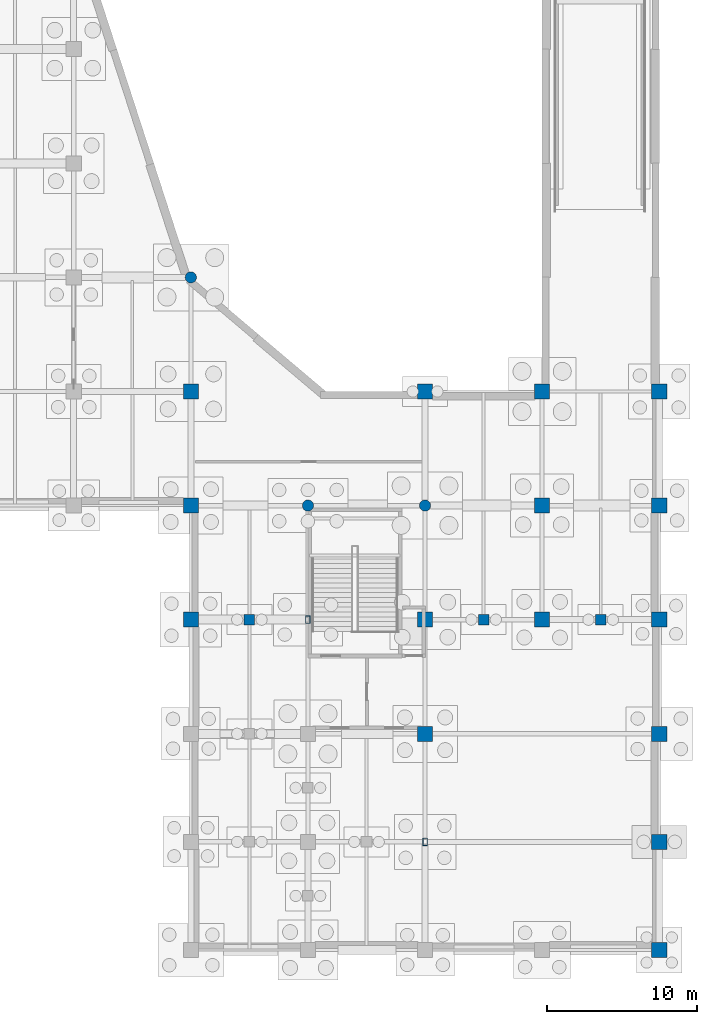
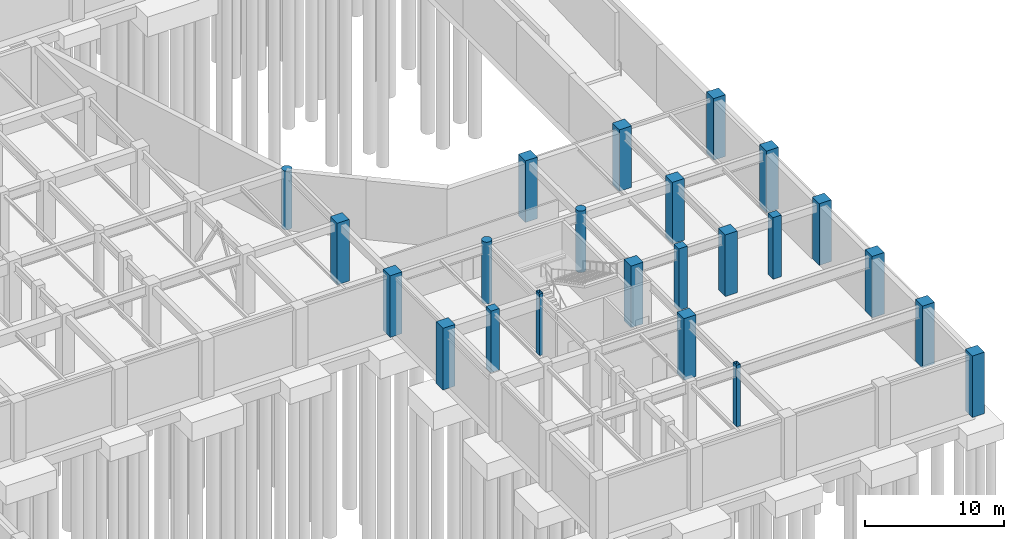
# One storey, part 20 of 52: 23 columns.
"""IFC4 building model written with IfcOpenShell, lengths in metres."""

from ifc_helpers import new_model, si_unit, direction, frame, origin, origin_2d, place, context, subcontext, project, spatial, rectangle, hollow_rectangle, circle, extrude, material, material_profile, profile_set, type_object, element, save


model = new_model("IFC4")

# Units and contexts
model_context = context("Model", 3, precision=1e-05, world=origin(), true_north=direction((0.0, 1.0)))
body_context = subcontext(model_context, "Body", "Model", "MODEL_VIEW")
ifc_project = project(units=[si_unit("LENGTHUNIT", "METRE"), si_unit("AREAUNIT", "SQUARE_METRE"), si_unit("VOLUMEUNIT", "CUBIC_METRE"), si_unit("PLANEANGLEUNIT", "RADIAN"), si_unit("MASSUNIT", "GRAM", prefix="KILO")], contexts=[model_context])

# Site, building, storey
site_placement = place(None, origin())
site = spatial("IfcSite", under=ifc_project, at=site_placement, CompositionType="ELEMENT")
building_placement = place(site_placement, origin())
building = spatial("IfcBuilding", under=site, at=building_placement, Name="Xicomal Pleat Aquarium", CompositionType="ELEMENT")
storey_placement = place(building_placement, frame((0.0, 0.0, -5.39990234375)))
storey = spatial("IfcBuildingStorey", under=building, at=storey_placement, Name="B1", CompositionType="ELEMENT", Elevation=-5.39990234375)

# Columns
ifc_material_1 = material(Name="Concrete C40/50", Category="concrete")
ifc_material_profile_1 = material_profile(ifc_material_1, rectangle(XDim=1.0, YDim=1.0, at=origin_2d()), Name="RC 1000x1000")
ifc_profile_set_1 = profile_set([ifc_material_profile_1], Name="Concrete C40/50")
column_type_1 = type_object("IfcColumnType", Name="COL-RC-1000x1000", PredefinedType="COLUMN", material=ifc_profile_set_1)
for number, where, z_axis, x_axis, name in (
    (1, (133.800048828125, 22.800048828125, 0.0), (0.0, 0.0, 1.0), (1.0, 0.0, 0.0), "B1 column 17/D"),
    (2, (133.800048828125, 30.39990234375, 0.0), (0.0, 0.0, 1.0), (1.0, 0.0, 0.0), "B1 column 17/E"),
    (3, (133.800048828125, 38.0, 0.0), (0.0, 0.0, 1.0), (1.0, 0.0, 0.0), "B1 column 17/F"),
    (4, (149.39990234375, 15.199951171875, 0.0), (0.0, 0.0, 1.0), (1.0, 0.0, 0.0), "B1 column 19/C"),
    (5, (149.39990234375, 22.800048828125, 0.0), (0.0, 0.0, 1.0), (1.0, 0.0, 0.0), "B1 column 19/D"),
    (6, (149.39990234375, 38.0, 0.0), (0.0, 0.0, 1.0), (1.0, 0.0, 0.0), "B1 column 19/F"),
    (7, (157.199951171875, 22.800048828125, 0.0), (0.0, 0.0, 1.0), (1.0, 0.0, 0.0), "B1 column 20/D"),
    (8, (157.199951171875, 30.39990234375, 0.0), (0.0, 0.0, 1.0), (1.0, 0.0, 0.0), "B1 column 20/E"),
    (9, (157.199951171875, 38.0, 0.0), (0.0, 0.0, 1.0), (1.0, 0.0, 0.0), "B1 column 20/F"),
    (10, (165.0, 0.800048828125, 0.0), (0.0, 0.0, 1.0), (1.0, 0.0, 0.0), "B1 column 21/A"),
    (11, (165.0, 8.0, 0.0), (0.0, 0.0, 1.0), (1.0, 0.0, 0.0), "B1 column 21/B"),
    (12, (165.0, 15.199951171875, 0.0), (0.0, 0.0, 1.0), (1.0, 0.0, 0.0), "B1 column 21/C"),
    (13, (165.0, 22.800048828125, 0.0), (0.0, 0.0, 1.0), (1.0, 0.0, 0.0), "B1 column 21/D"),
    (14, (165.0, 30.39990234375, 0.0), (0.0, 0.0, 1.0), (1.0, 0.0, 0.0), "B1 column 21/E"),
    (15, (165.0, 38.0, 0.0), (0.0, 0.0, 1.0), (1.0, 0.0, 0.0), "B1 column 21/F"),
):
    element("IfcColumn", number, at=place(storey_placement, frame(where, z_axis=z_axis, x_axis=x_axis)), inside=storey, type_object=column_type_1, Name=name, PredefinedType="COLUMN", context=body_context, shape_type="SweptSolid", body=[
        extrude(rectangle(XDim=1.0, YDim=1.0, at=origin_2d()), origin(), (0.0, 0.0, 1.0), 5.39990234375),
    ])
ifc_material_2 = material(Name="Concrete C40/50", Category="concrete")
ifc_material_profile_2 = material_profile(ifc_material_2, rectangle(XDim=0.699951171875, YDim=0.699951171875, at=origin_2d()), Name="RC 700x700")
ifc_profile_set_2 = profile_set([ifc_material_profile_2], Name="Concrete C40/50")
column_type_2 = type_object("IfcColumnType", Name="COL-RC-700x700", PredefinedType="COLUMN", material=ifc_profile_set_2)
for number, where, z_axis, x_axis, name in (
    (16, (137.699951171875, 22.800048828125, 0.0), (0.0, 0.0, 1.0), (1.0, 0.0, 0.0), "B1 intermediate support column SUB-26"),
    (17, (153.300048828125, 22.800048828125, 0.0), (0.0, 0.0, 1.0), (1.0, 0.0, 0.0), "B1 intermediate support column SUB-31"),
    (18, (161.10009765625, 22.800048828125, 0.0), (0.0, 0.0, 1.0), (1.0, 0.0, 0.0), "B1 intermediate support column SUB-32"),
):
    element("IfcColumn", number, at=place(storey_placement, frame(where, z_axis=z_axis, x_axis=x_axis)), inside=storey, type_object=column_type_2, Name=name, PredefinedType="COLUMN", context=body_context, shape_type="SweptSolid", body=[
        extrude(rectangle(XDim=0.699951171875, YDim=0.699951171875, at=origin_2d()), origin(), (0.0, 0.0, 1.0), 5.39990234375),
    ])
ifc_material_3 = material(Name="Concrete C40/50", Category="concrete")
ifc_material_profile_3 = material_profile(ifc_material_3, circle(Radius=0.375, at=origin_2d()), Name="RCC D750")
ifc_profile_set_3 = profile_set([ifc_material_profile_3], Name="Concrete C40/50")
column_type_3 = type_object("IfcColumnType", Name="COL-RCC-D750", PredefinedType="COLUMN", material=ifc_profile_set_3)
column_placement = place(storey_placement, frame((133.800048828125, 45.60009765625, 0.0), z_axis=(0.0, 0.0, 1.0), x_axis=(1.0, 0.0, 0.0)))
element("IfcColumn", 19, at=column_placement, inside=storey, type_object=column_type_3, Name="B1 column 17/G", PredefinedType="COLUMN", context=body_context, shape_type="SweptSolid", body=[
    extrude(circle(Radius=0.375, at=origin_2d()), origin(), (0.0, 0.0, 1.0), 5.139892578125),
])
for number, where, z_axis, x_axis, name in (
    (20, (141.60009765625, 30.39990234375, 0.0), (0.0, 0.0, 1.0), (1.0, 0.0, 0.0), "B1 column 18/E"),
    (21, (149.39990234375, 30.39990234375, 0.0), (0.0, 0.0, 1.0), (1.0, 0.0, 0.0), "B1 column 19/E"),
):
    element("IfcColumn", number, at=place(storey_placement, frame(where, z_axis=z_axis, x_axis=x_axis)), inside=storey, type_object=column_type_3, Name=name, PredefinedType="COLUMN", context=body_context, shape_type="SweptSolid", body=[
        extrude(circle(Radius=0.375, at=origin_2d()), origin(), (0.0, 0.0, 1.0), 5.39990234375),
    ])
ifc_material_4 = material(Name="Structural steel A500 Gr C", Category="steel")
ifc_material_profile_4 = material_profile(ifc_material_4, hollow_rectangle(XDim=0.300048828125, YDim=0.5, WallThickness=0.01611328125, at=origin_2d()), Name="OR 500x300x16")
ifc_profile_set_4 = profile_set([ifc_material_profile_4], Name="Structural steel A500 Gr C")
column_type_4 = type_object("IfcColumnType", Name="COL-STL-OR500", PredefinedType="COLUMN", material=ifc_profile_set_4)
for number, where, z_axis, x_axis, name in (
    (22, (141.60009765625, 22.800048828125, 0.0), (0.0, 0.0, 1.0), (1.0, 0.0, 0.0), "B1 column 18/D"),
    (23, (149.39990234375, 8.0, 0.0), (0.0, 0.0, 1.0), (1.0, 0.0, 0.0), "B1 column 19/B"),
):
    element("IfcColumn", number, at=place(storey_placement, frame(where, z_axis=z_axis, x_axis=x_axis)), inside=storey, type_object=column_type_4, Name=name, PredefinedType="COLUMN", context=body_context, shape_type="SweptSolid", body=[
        extrude(hollow_rectangle(XDim=0.300048828125, YDim=0.5, WallThickness=0.01611328125, at=origin_2d()), origin(), (0.0, 0.0, 1.0), 5.39990234375),
    ])

save(model, "model.ifc")
